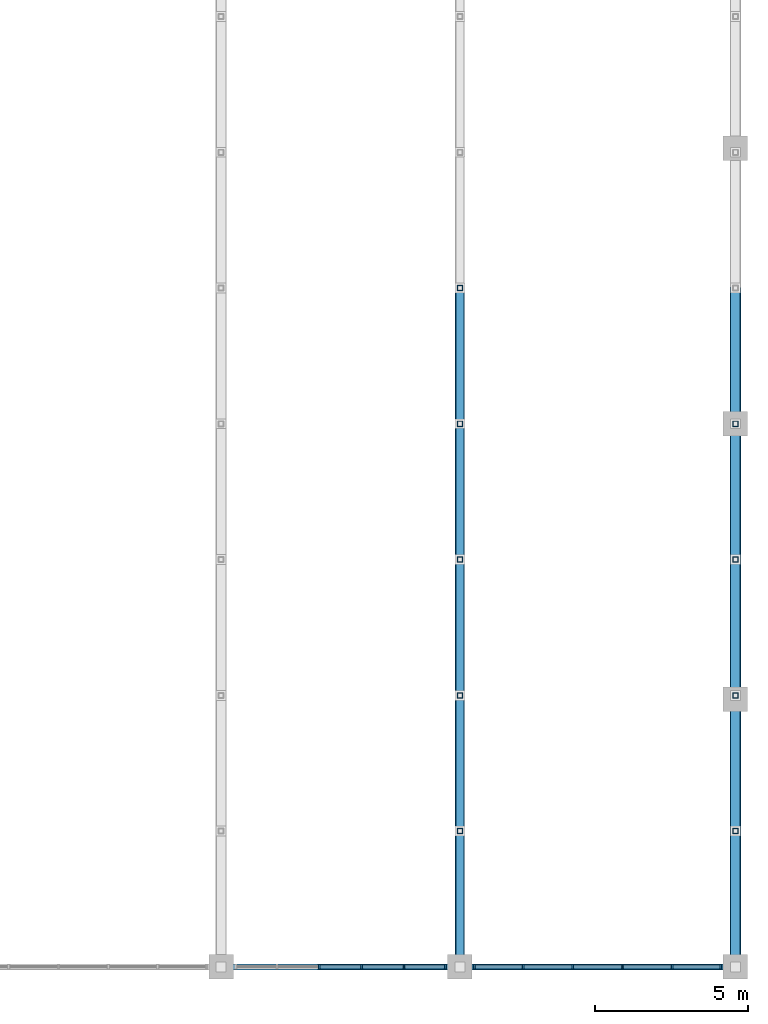
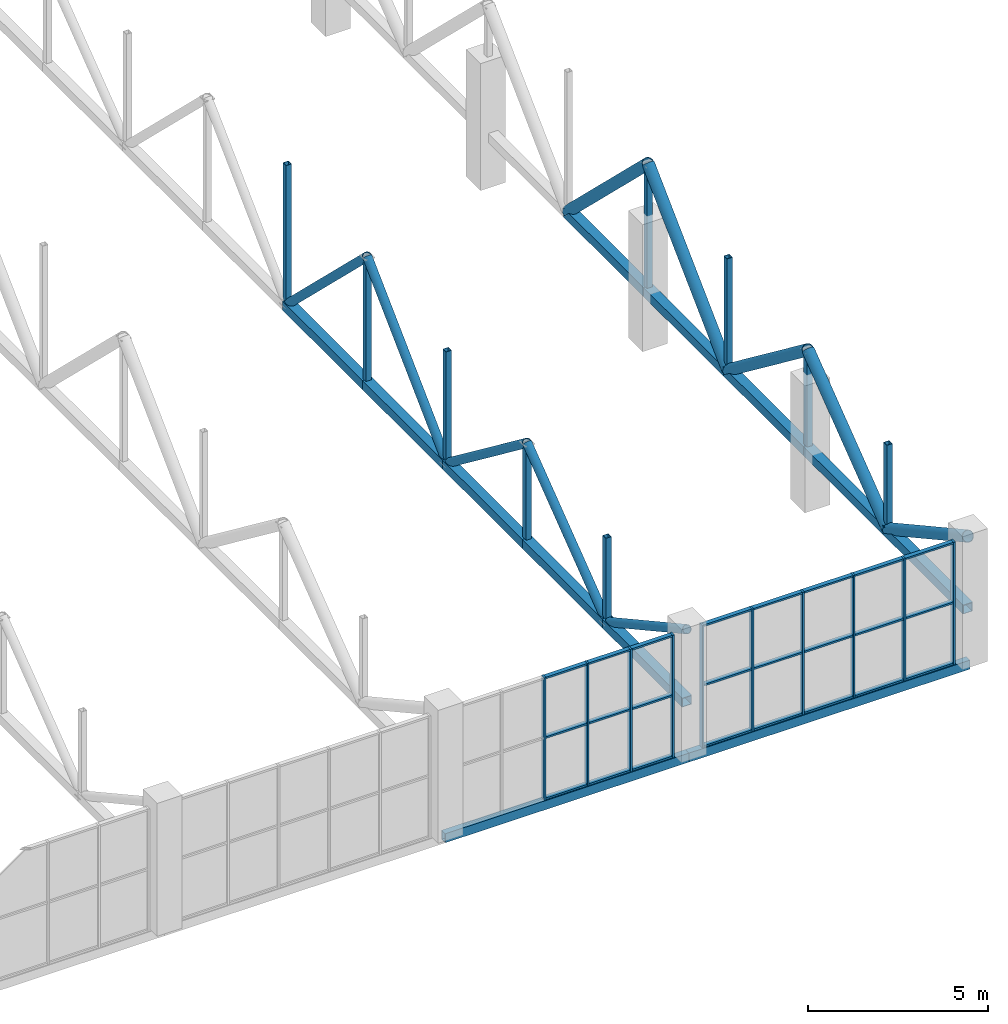
# One storey, part 62 of 103: 63 members, 2 beams, 2 elements without a shape of their own.
"""IFC4 building model written with IfcOpenShell, lengths in metres."""

import ifcopenshell
import ifcopenshell.guid

model = None  # the IFC model being written
_history = None  # IfcOwnerHistory: only IFC2X3 demands one
_inside = {}  # id of a spatial element -> (the spatial element, [elements in it])
_under = {}  # id of a project, library or spatial element -> (it, [spatial elements below it])
_declared = {}  # id of a project -> (the project, [libraries it declares])
_typed = {}  # id of a type object -> (the type object, [elements of that type])
_made_of = {}  # id of a material, layer set ... -> (it, [elements and type objects made of it])


def new_model(schema):
    """Start an empty IFC model of exactly this schema.

    Asked for "IFC4X3", IfcOpenShell would pick the latest addendum, in which some entities
    have other attributes; the version numbers below select the first issue.
    IFC2X3 requires an IfcOwnerHistory on every rooted entity: one is made here for all.
    """
    global model, _history
    if schema == "IFC4X3":
        model = ifcopenshell.file(schema_version=(4, 3, 0, 0))
    else:
        model = ifcopenshell.file(schema=schema)
    _inside.clear()
    _under.clear()
    _declared.clear()
    _typed.clear()
    _made_of.clear()
    _history = None
    if model.schema == "IFC2X3":
        org = make("IfcOrganization", Name="unknown")
        user = make(
            "IfcPersonAndOrganization",
            ThePerson=make("IfcPerson", FamilyName="unknown"),
            TheOrganization=org,
        )
        app = make(
            "IfcApplication",
            ApplicationDeveloper=org,
            Version="unknown",
            ApplicationFullName="unknown",
            ApplicationIdentifier="unknown",
        )
        _history = make(
            "IfcOwnerHistory",
            OwningUser=user,
            OwningApplication=app,
            ChangeAction="ADDED",
            CreationDate=0,
        )
    return model


def make(cls, **values):
    """One entity of the class cls with the attributes given. An attribute that is None is left unset."""
    return model.create_entity(
        cls, **{name: value for name, value in values.items() if value is not None}
    )


def rooted(cls, **values):
    """An entity with a GlobalId (a new one), such as an element, a storey or a relation."""
    return make(cls, GlobalId=ifcopenshell.guid.new(), OwnerHistory=_history, **values)


def si_unit(unit_type, name, prefix=None):
    """IfcSIUnit, for example si_unit("LENGTHUNIT", "METRE", prefix="MILLI")."""
    return make("IfcSIUnit", UnitType=unit_type, Prefix=prefix, Name=name)


def assignment(units):
    """IfcUnitAssignment: the units of a project."""
    return None if units is None else make("IfcUnitAssignment", Units=units)


def point(xyz):
    """IfcCartesianPoint."""
    return None if xyz is None else make("IfcCartesianPoint", Coordinates=xyz)


def direction(xyz):
    """IfcDirection."""
    return None if xyz is None else make("IfcDirection", DirectionRatios=xyz)


def frame(location, z_axis=None, x_axis=None):
    """IfcAxis2Placement3D, a coordinate frame: its origin and axes. An axis left out is left unset."""
    return make(
        "IfcAxis2Placement3D",
        Location=point(location),
        Axis=direction(z_axis),
        RefDirection=direction(x_axis),
    )


def frame_2d(location, x_axis=None):
    """IfcAxis2Placement2D, a coordinate frame in the plane: its origin and x axis."""
    return make(
        "IfcAxis2Placement2D", Location=point(location), RefDirection=direction(x_axis)
    )


def origin():
    """The frame at (0, 0, 0) with its axes left unset."""
    return frame((0.0, 0.0, 0.0))


def origin_2d():
    """The frame at (0, 0) in the plane with its x axis left unset."""
    return frame_2d((0.0, 0.0))


def place(relative_to, where):
    """IfcLocalPlacement: puts the frame where relative to a parent placement (None: the world)."""
    return make(
        "IfcLocalPlacement", PlacementRelTo=relative_to, RelativePlacement=where
    )


def context(
    kind, dimensions, precision=None, world=None, true_north=None, identifier=None
):
    """IfcGeometricRepresentationContext, for example the 3D "Model" context."""
    return make(
        "IfcGeometricRepresentationContext",
        ContextIdentifier=identifier,
        ContextType=kind,
        CoordinateSpaceDimension=dimensions,
        Precision=precision,
        WorldCoordinateSystem=world,
        TrueNorth=true_north,
    )


def subcontext(parent, identifier, kind, view, scale=None):
    """IfcGeometricRepresentationSubContext, for example "Body" below "Model"."""
    return make(
        "IfcGeometricRepresentationSubContext",
        ContextIdentifier=identifier,
        ContextType=kind,
        ParentContext=parent,
        TargetScale=scale,
        TargetView=view,
    )


def project(units=None, contexts=None):
    """IfcProject with its units and contexts."""
    return rooted(
        "IfcProject",
        Name="project",
        RepresentationContexts=contexts,
        UnitsInContext=assignment(units),
    )


def spatial(cls, under=None, at=None, **own):
    """A site, building, storey or space (cls), placed at a placement, below another one or the project."""
    s = rooted(cls, ObjectPlacement=at, **own)
    if under is not None:
        _under.setdefault(under.id(), (under, []))[1].append(s)
    return s


def profile(cls, at=None, kind="AREA", **sizes):
    """A parametric profile (cls). Its sizes go by their IFC names, for example OverallWidth=200.0."""
    return make(cls, ProfileType=kind, Position=at, **sizes)


def rectangle(**sizes):
    """IfcRectangleProfileDef."""
    return profile("IfcRectangleProfileDef", **sizes)


def hollow_rectangle(**sizes):
    """IfcRectangleHollowProfileDef."""
    return profile("IfcRectangleHollowProfileDef", **sizes)


def hollow_circle(**sizes):
    """IfcCircleHollowProfileDef."""
    return profile("IfcCircleHollowProfileDef", **sizes)


def extrude(swept, where, along, depth):
    """IfcExtrudedAreaSolid: the profile swept, set in the frame where, extruded along a direction by depth."""
    return make(
        "IfcExtrudedAreaSolid",
        SweptArea=swept,
        Position=where,
        ExtrudedDirection=direction(along),
        Depth=depth,
    )


def shape(context_of_items, identifier, shape_type, items):
    """IfcShapeRepresentation: the items that make up one representation, for example the "Body"."""
    return make(
        "IfcShapeRepresentation",
        ContextOfItems=context_of_items,
        RepresentationIdentifier=identifier,
        RepresentationType=shape_type,
        Items=items,
    )


def material(Name=None, Category=None):
    """IfcMaterial."""
    return make("IfcMaterial", Name=Name, Category=Category)


def layer(
    of_material, thickness, ventilated=None, Name=None, Category=None, Priority=None
):
    """IfcMaterialLayer: one layer of a wall or slab, of a material (None: an air gap)."""
    return make(
        "IfcMaterialLayer",
        Material=of_material,
        LayerThickness=thickness,
        IsVentilated=ventilated,
        Name=Name,
        Category=Category,
        Priority=Priority,
    )


def layer_set(layers, Name=None):
    """IfcMaterialLayerSet."""
    return make("IfcMaterialLayerSet", MaterialLayers=layers, LayerSetName=Name)


def material_profile(
    of_material, cross_section, Name=None, Category=None, Priority=None
):
    """IfcMaterialProfile: a cross section and its material."""
    return make(
        "IfcMaterialProfile",
        Name=Name,
        Material=of_material,
        Profile=cross_section,
        Priority=Priority,
        Category=Category,
    )


def profile_set(profiles, Name=None, composite=None):
    """IfcMaterialProfileSet."""
    return make(
        "IfcMaterialProfileSet",
        Name=Name,
        MaterialProfiles=profiles,
        CompositeProfile=composite,
    )


def made_of(thing, what):
    """Note that an element or type object is made of a material, layer set ...; save() writes the relation."""
    if what is not None:
        _made_of.setdefault(what.id(), (what, []))[1].append(thing)
    return thing


def type_object(cls, material=None, **own):
    """A type object (cls), such as IfcWallType, which elements share."""
    return made_of(rooted(cls, **own), material)


def element(
    cls,
    number,
    at=None,
    inside=None,
    cuts=None,
    type_object=None,
    material=None,
    context=None,
    identifier="Body",
    shape_type=None,
    held_by="IfcProductDefinitionShape",
    body=None,
    shapes=None,
    **own,
):
    """One element of the class cls, such as IfcWall. Its Tag is "e" and its number.

    at: its placement. inside: the storey or other place that contains it. cuts: it is an
    opening in that element (IfcRelVoidsElement). A single representation is given by context,
    identifier, shape_type and body (its items); several are given by shapes. held_by: the class
    of the entity that holds the representations. save() writes the other relations.
    """
    e = rooted(cls, Tag="e%d" % number, ObjectPlacement=at, **own)
    if body is not None:
        shapes = [shape(context, identifier, shape_type, body)]
    if shapes is not None:
        e.Representation = make(held_by, Representations=shapes)
    if inside is not None:
        _inside.setdefault(inside.id(), (inside, []))[1].append(e)
    if cuts is not None:
        rooted(
            "IfcRelVoidsElement", RelatingBuildingElement=cuts, RelatedOpeningElement=e
        )
    if type_object is not None:
        _typed.setdefault(type_object.id(), (type_object, []))[1].append(e)
    return made_of(e, material)


def aggregate(whole, parts):
    """IfcRelAggregates: a whole, such as a stair, and the parts it consists of."""
    return rooted("IfcRelAggregates", RelatingObject=whole, RelatedObjects=parts)


def save(model, path):
    """Write the relations noted so far, then the file.

    IfcRelAggregates (storeys below a building ...), IfcRelContainedInSpatialStructure (elements
    in a storey), IfcRelDefinesByType, IfcRelAssociatesMaterial and IfcRelDeclares: one each for
    every whole, place, type object, material and project.
    """
    for whole, parts in _under.values():
        aggregate(whole, parts)
    for where, things in _inside.values():
        rooted(
            "IfcRelContainedInSpatialStructure",
            RelatedElements=things,
            RelatingStructure=where,
        )
    for kind, things in _typed.values():
        rooted("IfcRelDefinesByType", RelatedObjects=things, RelatingType=kind)
    for what, things in _made_of.values():
        rooted("IfcRelAssociatesMaterial", RelatedObjects=things, RelatingMaterial=what)
    for by, libraries in _declared.values():
        rooted("IfcRelDeclares", RelatingContext=by, RelatedDefinitions=libraries)
    model.write(path)


model = new_model("IFC4")

# Units and contexts
model_context = context("Model", 3, precision=1e-05, world=origin(), true_north=direction((0.0, 1.0)))
body_context = subcontext(model_context, "Body", "Model", "MODEL_VIEW")
ifc_project = project(units=[si_unit("LENGTHUNIT", "METRE"), si_unit("AREAUNIT", "SQUARE_METRE"), si_unit("VOLUMEUNIT", "CUBIC_METRE"), si_unit("PLANEANGLEUNIT", "RADIAN"), si_unit("MASSUNIT", "GRAM", prefix="KILO")], contexts=[model_context])

# Site, building, storey
site_placement = place(None, origin())
site = spatial("IfcSite", under=ifc_project, at=site_placement, CompositionType="ELEMENT")
building_placement = place(site_placement, origin())
building = spatial("IfcBuilding", under=site, at=building_placement, Name="Cazmaro Siding Exhibition Halls", CompositionType="ELEMENT")
storey_placement = place(building_placement, frame((0.0, 0.0, 16.5)))
storey = spatial("IfcBuildingStorey", under=building, at=storey_placement, Name="L03", CompositionType="ELEMENT", Elevation=16.5)

# Curtain wall, members
ifc_material_1 = material(Name="Anodized Bronze Aluminum and Solar-Control Low-E Glazing", Category="aluminium")
ifc_layer = layer(ifc_material_1, 0.159912109375)
ifc_layer_set = layer_set([ifc_layer], Name="Anodized Bronze Aluminum and Solar-Control Low-E Glazing")
curtain_wall_type = type_object("IfcCurtainWallType", Name="CWS-04", PredefinedType="USERDEFINED", material=ifc_layer_set)
curtain_wall_1_placement = place(storey_placement, origin())
curtain_wall_1 = element("IfcCurtainWall", 1, at=curtain_wall_1_placement, inside=storey, type_object=curtain_wall_type, Name="Clerestory Curtain Wall CWS-04 CW-106", ObjectType="CLERESTORY CURTAIN WALL", PredefinedType="USERDEFINED")
ifc_material_2 = material(Name="Anodized Bronze Extruded Aluminum", Category="aluminium")
ifc_material_profile_1 = material_profile(ifc_material_2, rectangle(XDim=0.159912109375, YDim=0.06005859375, at=origin_2d()), Name="CWM-04")
ifc_profile_set_1 = profile_set([ifc_material_profile_1], Name="Anodized Bronze Extruded Aluminum")
member_type_1 = type_object("IfcMemberType", Name="CWM-04", PredefinedType="MULLION", material=ifc_profile_set_1)
member_1_placement = place(storey_placement, frame((192.208984375, 9.25, 0.0), z_axis=(0.0, 0.0, 1.0), x_axis=(0.0, 1.0, 0.0)))
member_1 = element("IfcMember", 2, at=member_1_placement, type_object=member_type_1, Name="CWS-04 mullion 3", PredefinedType="MULLION", context=body_context, shape_type="SweptSolid", body=[
    extrude(rectangle(XDim=0.159912109375, YDim=0.06005859375, at=origin_2d()), origin(), (0.0, 0.0, 1.0), 4.14990234375),
])
member_2_placement = place(storey_placement, frame((193.591064453125, 9.25, 0.0), z_axis=(0.0, 0.0, 1.0), x_axis=(0.0, 1.0, 0.0)))
member_2 = element("IfcMember", 3, at=member_2_placement, type_object=member_type_1, Name="CWS-04 mullion 4", PredefinedType="MULLION", context=body_context, shape_type="SweptSolid", body=[
    extrude(rectangle(XDim=0.159912109375, YDim=0.06005859375, at=origin_2d()), origin(), (0.0, 0.0, 1.0), 4.14990234375),
])
member_3_placement = place(storey_placement, frame((194.972900390625, 9.25, 0.0), z_axis=(0.0, 0.0, 1.0), x_axis=(0.0, 1.0, 0.0)))
member_3 = element("IfcMember", 4, at=member_3_placement, type_object=member_type_1, Name="CWS-04 mullion 5", PredefinedType="MULLION", context=body_context, shape_type="SweptSolid", body=[
    extrude(rectangle(XDim=0.159912109375, YDim=0.06005859375, at=origin_2d()), origin(), (0.0, 0.0, 1.0), 4.14990234375),
])
member_4_placement = place(storey_placement, frame((196.324951171875, 9.25, 0.0), z_axis=(0.0, 0.0, 1.0), x_axis=(0.0, 1.0, 0.0)))
member_4 = element("IfcMember", 5, at=member_4_placement, type_object=member_type_1, Name="CWS-04 mullion 6", PredefinedType="MULLION", context=body_context, shape_type="SweptSolid", body=[
    extrude(rectangle(XDim=0.159912109375, YDim=0.06005859375, at=origin_2d()), origin(), (0.0, 0.0, 1.0), 4.14990234375),
])

curtain_wall_2_placement = place(storey_placement, origin())
curtain_wall_2 = element("IfcCurtainWall", 6, at=curtain_wall_2_placement, inside=storey, type_object=curtain_wall_type, Name="Clerestory Curtain Wall CWS-04 CW-108", ObjectType="CLERESTORY CURTAIN WALL", PredefinedType="USERDEFINED")
member_5_placement = place(storey_placement, frame((197.27490234375, 9.25, 0.0), z_axis=(0.0, 0.0, 1.0), x_axis=(0.0, 1.0, 0.0)))
member_5 = element("IfcMember", 7, at=member_5_placement, type_object=member_type_1, Name="CWS-04 mullion 1", PredefinedType="MULLION", context=body_context, shape_type="SweptSolid", body=[
    extrude(rectangle(XDim=0.159912109375, YDim=0.06005859375, at=origin_2d()), origin(), (0.0, 0.0, 1.0), 4.14990234375),
])
member_6_placement = place(storey_placement, frame((198.866943359375, 9.25, 0.0), z_axis=(0.0, 0.0, 1.0), x_axis=(0.0, 1.0, 0.0)))
member_6 = element("IfcMember", 8, at=member_6_placement, type_object=member_type_1, Name="CWS-04 mullion 2", PredefinedType="MULLION", context=body_context, shape_type="SweptSolid", body=[
    extrude(rectangle(XDim=0.159912109375, YDim=0.06005859375, at=origin_2d()), origin(), (0.0, 0.0, 1.0), 4.14990234375),
])
member_7_placement = place(storey_placement, frame((200.489013671875, 9.25, 0.0), z_axis=(0.0, 0.0, 1.0), x_axis=(0.0, 1.0, 0.0)))
member_7 = element("IfcMember", 9, at=member_7_placement, type_object=member_type_1, Name="CWS-04 mullion 3", PredefinedType="MULLION", context=body_context, shape_type="SweptSolid", body=[
    extrude(rectangle(XDim=0.159912109375, YDim=0.06005859375, at=origin_2d()), origin(), (0.0, 0.0, 1.0), 4.14990234375),
])
member_8_placement = place(storey_placement, frame((202.111083984375, 9.25, 0.0), z_axis=(0.0, 0.0, 1.0), x_axis=(0.0, 1.0, 0.0)))
member_8 = element("IfcMember", 10, at=member_8_placement, type_object=member_type_1, Name="CWS-04 mullion 4", PredefinedType="MULLION", context=body_context, shape_type="SweptSolid", body=[
    extrude(rectangle(XDim=0.159912109375, YDim=0.06005859375, at=origin_2d()), origin(), (0.0, 0.0, 1.0), 4.14990234375),
])
member_9_placement = place(storey_placement, frame((203.73291015625, 9.25, 0.0), z_axis=(0.0, 0.0, 1.0), x_axis=(0.0, 1.0, 0.0)))
member_9 = element("IfcMember", 11, at=member_9_placement, type_object=member_type_1, Name="CWS-04 mullion 5", PredefinedType="MULLION", context=body_context, shape_type="SweptSolid", body=[
    extrude(rectangle(XDim=0.159912109375, YDim=0.06005859375, at=origin_2d()), origin(), (0.0, 0.0, 1.0), 4.14990234375),
])
member_10_placement = place(storey_placement, frame((205.324951171875, 9.25, 0.0), z_axis=(0.0, 0.0, 1.0), x_axis=(0.0, 1.0, 0.0)))
member_10 = element("IfcMember", 12, at=member_10_placement, type_object=member_type_1, Name="CWS-04 mullion 6", PredefinedType="MULLION", context=body_context, shape_type="SweptSolid", body=[
    extrude(rectangle(XDim=0.159912109375, YDim=0.06005859375, at=origin_2d()), origin(), (0.0, 0.0, 1.0), 4.14990234375),
])

# Member
ifc_material_3 = material(Name="Anodized Bronze Extruded Aluminum", Category="aluminium")
ifc_material_profile_2 = material_profile(ifc_material_3, rectangle(XDim=0.139892578125, YDim=0.06005859375, at=origin_2d()), Name="CWT-04")
ifc_profile_set_2 = profile_set([ifc_material_profile_2], Name="Anodized Bronze Extruded Aluminum")
member_type_2 = type_object("IfcMemberType", Name="CWT-04", PredefinedType="MULLION", material=ifc_profile_set_2)
member_11_placement = place(storey_placement, frame((192.239013671875, 9.25, 0.030029296875), z_axis=(1.0, 0.0, 0.0), x_axis=(0.0, 1.0, 0.0)))
member_11 = element("IfcMember", 13, at=member_11_placement, type_object=member_type_2, Name="CWS-04 transom 3.1", ObjectType="TRANSOM", PredefinedType="USERDEFINED", context=body_context, shape_type="SweptSolid", body=[
    extrude(rectangle(XDim=0.139892578125, YDim=0.06005859375, at=origin_2d()), origin(), (0.0, 0.0, 1.0), 1.322021484375),
])

member_12_placement = place(storey_placement, frame((192.239013671875, 9.25, 2.10009765625), z_axis=(1.0, 0.0, 0.0), x_axis=(0.0, 1.0, 0.0)))
member_12 = element("IfcMember", 14, at=member_12_placement, type_object=member_type_2, Name="CWS-04 transom 3.2", ObjectType="TRANSOM", PredefinedType="USERDEFINED", context=body_context, shape_type="SweptSolid", body=[
    extrude(rectangle(XDim=0.139892578125, YDim=0.06005859375, at=origin_2d()), origin(), (0.0, 0.0, 1.0), 1.322021484375),
])

member_13_placement = place(storey_placement, frame((192.239013671875, 9.25, 4.1201171875), z_axis=(1.0, 0.0, 0.0), x_axis=(0.0, 1.0, 0.0)))
member_13 = element("IfcMember", 15, at=member_13_placement, type_object=member_type_2, Name="CWS-04 transom 3.3", ObjectType="TRANSOM", PredefinedType="USERDEFINED", context=body_context, shape_type="SweptSolid", body=[
    extrude(rectangle(XDim=0.139892578125, YDim=0.06005859375, at=origin_2d()), origin(), (0.0, 0.0, 1.0), 1.322021484375),
])

member_14_placement = place(storey_placement, frame((193.62109375, 9.25, 0.030029296875), z_axis=(1.0, 0.0, 0.0), x_axis=(0.0, 1.0, 0.0)))
member_14 = element("IfcMember", 16, at=member_14_placement, type_object=member_type_2, Name="CWS-04 transom 4.1", ObjectType="TRANSOM", PredefinedType="USERDEFINED", context=body_context, shape_type="SweptSolid", body=[
    extrude(rectangle(XDim=0.139892578125, YDim=0.06005859375, at=origin_2d()), origin(), (0.0, 0.0, 1.0), 1.322021484375),
])

member_15_placement = place(storey_placement, frame((193.62109375, 9.25, 2.10009765625), z_axis=(1.0, 0.0, 0.0), x_axis=(0.0, 1.0, 0.0)))
member_15 = element("IfcMember", 17, at=member_15_placement, type_object=member_type_2, Name="CWS-04 transom 4.2", ObjectType="TRANSOM", PredefinedType="USERDEFINED", context=body_context, shape_type="SweptSolid", body=[
    extrude(rectangle(XDim=0.139892578125, YDim=0.06005859375, at=origin_2d()), origin(), (0.0, 0.0, 1.0), 1.322021484375),
])

member_16_placement = place(storey_placement, frame((193.62109375, 9.25, 4.1201171875), z_axis=(1.0, 0.0, 0.0), x_axis=(0.0, 1.0, 0.0)))
member_16 = element("IfcMember", 18, at=member_16_placement, type_object=member_type_2, Name="CWS-04 transom 4.3", ObjectType="TRANSOM", PredefinedType="USERDEFINED", context=body_context, shape_type="SweptSolid", body=[
    extrude(rectangle(XDim=0.139892578125, YDim=0.06005859375, at=origin_2d()), origin(), (0.0, 0.0, 1.0), 1.322021484375),
])

member_17_placement = place(storey_placement, frame((195.0029296875, 9.25, 0.030029296875), z_axis=(1.0, 0.0, 0.0), x_axis=(0.0, 1.0, 0.0)))
member_17 = element("IfcMember", 19, at=member_17_placement, type_object=member_type_2, Name="CWS-04 transom 5.1", ObjectType="TRANSOM", PredefinedType="USERDEFINED", context=body_context, shape_type="SweptSolid", body=[
    extrude(rectangle(XDim=0.139892578125, YDim=0.06005859375, at=origin_2d()), origin(), (0.0, 0.0, 1.0), 1.2919921875),
])

member_18_placement = place(storey_placement, frame((195.0029296875, 9.25, 2.10009765625), z_axis=(1.0, 0.0, 0.0), x_axis=(0.0, 1.0, 0.0)))
member_18 = element("IfcMember", 20, at=member_18_placement, type_object=member_type_2, Name="CWS-04 transom 5.2", ObjectType="TRANSOM", PredefinedType="USERDEFINED", context=body_context, shape_type="SweptSolid", body=[
    extrude(rectangle(XDim=0.139892578125, YDim=0.06005859375, at=origin_2d()), origin(), (0.0, 0.0, 1.0), 1.2919921875),
])

member_19_placement = place(storey_placement, frame((195.0029296875, 9.25, 4.1201171875), z_axis=(1.0, 0.0, 0.0), x_axis=(0.0, 1.0, 0.0)))
member_19 = element("IfcMember", 21, at=member_19_placement, type_object=member_type_2, Name="CWS-04 transom 5.3", ObjectType="TRANSOM", PredefinedType="USERDEFINED", context=body_context, shape_type="SweptSolid", body=[
    extrude(rectangle(XDim=0.139892578125, YDim=0.06005859375, at=origin_2d()), origin(), (0.0, 0.0, 1.0), 1.2919921875),
])

aggregate(curtain_wall_1, [member_1, member_2, member_3, member_4, member_11, member_12, member_13, member_14, member_15, member_16, member_17, member_18, member_19])

member_20_placement = place(storey_placement, frame((197.304931640625, 9.25, 0.030029296875), z_axis=(1.0, 0.0, 0.0), x_axis=(0.0, 1.0, 0.0)))
member_20 = element("IfcMember", 22, at=member_20_placement, type_object=member_type_2, Name="CWS-04 transom 1.1", ObjectType="TRANSOM", PredefinedType="USERDEFINED", context=body_context, shape_type="SweptSolid", body=[
    extrude(rectangle(XDim=0.139892578125, YDim=0.06005859375, at=origin_2d()), origin(), (0.0, 0.0, 1.0), 1.531982421875),
])

member_21_placement = place(storey_placement, frame((197.304931640625, 9.25, 2.10009765625), z_axis=(1.0, 0.0, 0.0), x_axis=(0.0, 1.0, 0.0)))
member_21 = element("IfcMember", 23, at=member_21_placement, type_object=member_type_2, Name="CWS-04 transom 1.2", ObjectType="TRANSOM", PredefinedType="USERDEFINED", context=body_context, shape_type="SweptSolid", body=[
    extrude(rectangle(XDim=0.139892578125, YDim=0.06005859375, at=origin_2d()), origin(), (0.0, 0.0, 1.0), 1.531982421875),
])

member_22_placement = place(storey_placement, frame((197.304931640625, 9.25, 4.1201171875), z_axis=(1.0, 0.0, 0.0), x_axis=(0.0, 1.0, 0.0)))
member_22 = element("IfcMember", 24, at=member_22_placement, type_object=member_type_2, Name="CWS-04 transom 1.3", ObjectType="TRANSOM", PredefinedType="USERDEFINED", context=body_context, shape_type="SweptSolid", body=[
    extrude(rectangle(XDim=0.139892578125, YDim=0.06005859375, at=origin_2d()), origin(), (0.0, 0.0, 1.0), 1.531982421875),
])

member_23_placement = place(storey_placement, frame((198.89697265625, 9.25, 0.030029296875), z_axis=(1.0, 0.0, 0.0), x_axis=(0.0, 1.0, 0.0)))
member_23 = element("IfcMember", 25, at=member_23_placement, type_object=member_type_2, Name="CWS-04 transom 2.1", ObjectType="TRANSOM", PredefinedType="USERDEFINED", context=body_context, shape_type="SweptSolid", body=[
    extrude(rectangle(XDim=0.139892578125, YDim=0.06005859375, at=origin_2d()), origin(), (0.0, 0.0, 1.0), 1.56201171875),
])

member_24_placement = place(storey_placement, frame((198.89697265625, 9.25, 2.10009765625), z_axis=(1.0, 0.0, 0.0), x_axis=(0.0, 1.0, 0.0)))
member_24 = element("IfcMember", 26, at=member_24_placement, type_object=member_type_2, Name="CWS-04 transom 2.2", ObjectType="TRANSOM", PredefinedType="USERDEFINED", context=body_context, shape_type="SweptSolid", body=[
    extrude(rectangle(XDim=0.139892578125, YDim=0.06005859375, at=origin_2d()), origin(), (0.0, 0.0, 1.0), 1.56201171875),
])

member_25_placement = place(storey_placement, frame((198.89697265625, 9.25, 4.1201171875), z_axis=(1.0, 0.0, 0.0), x_axis=(0.0, 1.0, 0.0)))
member_25 = element("IfcMember", 27, at=member_25_placement, type_object=member_type_2, Name="CWS-04 transom 2.3", ObjectType="TRANSOM", PredefinedType="USERDEFINED", context=body_context, shape_type="SweptSolid", body=[
    extrude(rectangle(XDim=0.139892578125, YDim=0.06005859375, at=origin_2d()), origin(), (0.0, 0.0, 1.0), 1.56201171875),
])

member_26_placement = place(storey_placement, frame((200.51904296875, 9.25, 0.030029296875), z_axis=(1.0, 0.0, 0.0), x_axis=(0.0, 1.0, 0.0)))
member_26 = element("IfcMember", 28, at=member_26_placement, type_object=member_type_2, Name="CWS-04 transom 3.1", ObjectType="TRANSOM", PredefinedType="USERDEFINED", context=body_context, shape_type="SweptSolid", body=[
    extrude(rectangle(XDim=0.139892578125, YDim=0.06005859375, at=origin_2d()), origin(), (0.0, 0.0, 1.0), 1.56201171875),
])

member_27_placement = place(storey_placement, frame((200.51904296875, 9.25, 2.10009765625), z_axis=(1.0, 0.0, 0.0), x_axis=(0.0, 1.0, 0.0)))
member_27 = element("IfcMember", 29, at=member_27_placement, type_object=member_type_2, Name="CWS-04 transom 3.2", ObjectType="TRANSOM", PredefinedType="USERDEFINED", context=body_context, shape_type="SweptSolid", body=[
    extrude(rectangle(XDim=0.139892578125, YDim=0.06005859375, at=origin_2d()), origin(), (0.0, 0.0, 1.0), 1.56201171875),
])

member_28_placement = place(storey_placement, frame((200.51904296875, 9.25, 4.1201171875), z_axis=(1.0, 0.0, 0.0), x_axis=(0.0, 1.0, 0.0)))
member_28 = element("IfcMember", 30, at=member_28_placement, type_object=member_type_2, Name="CWS-04 transom 3.3", ObjectType="TRANSOM", PredefinedType="USERDEFINED", context=body_context, shape_type="SweptSolid", body=[
    extrude(rectangle(XDim=0.139892578125, YDim=0.06005859375, at=origin_2d()), origin(), (0.0, 0.0, 1.0), 1.56201171875),
])

member_29_placement = place(storey_placement, frame((202.14111328125, 9.25, 0.030029296875), z_axis=(1.0, 0.0, 0.0), x_axis=(0.0, 1.0, 0.0)))
member_29 = element("IfcMember", 31, at=member_29_placement, type_object=member_type_2, Name="CWS-04 transom 4.1", ObjectType="TRANSOM", PredefinedType="USERDEFINED", context=body_context, shape_type="SweptSolid", body=[
    extrude(rectangle(XDim=0.139892578125, YDim=0.06005859375, at=origin_2d()), origin(), (0.0, 0.0, 1.0), 1.561767578125),
])

member_30_placement = place(storey_placement, frame((202.14111328125, 9.25, 2.10009765625), z_axis=(1.0, 0.0, 0.0), x_axis=(0.0, 1.0, 0.0)))
member_30 = element("IfcMember", 32, at=member_30_placement, type_object=member_type_2, Name="CWS-04 transom 4.2", ObjectType="TRANSOM", PredefinedType="USERDEFINED", context=body_context, shape_type="SweptSolid", body=[
    extrude(rectangle(XDim=0.139892578125, YDim=0.06005859375, at=origin_2d()), origin(), (0.0, 0.0, 1.0), 1.561767578125),
])

member_31_placement = place(storey_placement, frame((202.14111328125, 9.25, 4.1201171875), z_axis=(1.0, 0.0, 0.0), x_axis=(0.0, 1.0, 0.0)))
member_31 = element("IfcMember", 33, at=member_31_placement, type_object=member_type_2, Name="CWS-04 transom 4.3", ObjectType="TRANSOM", PredefinedType="USERDEFINED", context=body_context, shape_type="SweptSolid", body=[
    extrude(rectangle(XDim=0.139892578125, YDim=0.06005859375, at=origin_2d()), origin(), (0.0, 0.0, 1.0), 1.561767578125),
])

member_32_placement = place(storey_placement, frame((203.762939453125, 9.25, 0.030029296875), z_axis=(1.0, 0.0, 0.0), x_axis=(0.0, 1.0, 0.0)))
member_32 = element("IfcMember", 34, at=member_32_placement, type_object=member_type_2, Name="CWS-04 transom 5.1", ObjectType="TRANSOM", PredefinedType="USERDEFINED", context=body_context, shape_type="SweptSolid", body=[
    extrude(rectangle(XDim=0.139892578125, YDim=0.06005859375, at=origin_2d()), origin(), (0.0, 0.0, 1.0), 1.531982421875),
])

member_33_placement = place(storey_placement, frame((203.762939453125, 9.25, 2.10009765625), z_axis=(1.0, 0.0, 0.0), x_axis=(0.0, 1.0, 0.0)))
member_33 = element("IfcMember", 35, at=member_33_placement, type_object=member_type_2, Name="CWS-04 transom 5.2", ObjectType="TRANSOM", PredefinedType="USERDEFINED", context=body_context, shape_type="SweptSolid", body=[
    extrude(rectangle(XDim=0.139892578125, YDim=0.06005859375, at=origin_2d()), origin(), (0.0, 0.0, 1.0), 1.531982421875),
])

member_34_placement = place(storey_placement, frame((203.762939453125, 9.25, 4.1201171875), z_axis=(1.0, 0.0, 0.0), x_axis=(0.0, 1.0, 0.0)))
member_34 = element("IfcMember", 36, at=member_34_placement, type_object=member_type_2, Name="CWS-04 transom 5.3", ObjectType="TRANSOM", PredefinedType="USERDEFINED", context=body_context, shape_type="SweptSolid", body=[
    extrude(rectangle(XDim=0.139892578125, YDim=0.06005859375, at=origin_2d()), origin(), (0.0, 0.0, 1.0), 1.531982421875),
])

aggregate(curtain_wall_2, [member_5, member_6, member_7, member_8, member_9, member_10, member_20, member_21, member_22, member_23, member_24, member_25, member_26, member_27, member_28, member_29, member_30, member_31, member_32, member_33, member_34])

# Beams
ifc_material_4 = material(Name="Steel ASTM A500 Grade C", Category="steel")
ifc_material_profile_3 = material_profile(ifc_material_4, hollow_rectangle(XDim=0.202880859375, YDim=0.304931640625, WallThickness=0.011962890625, at=origin_2d()), Name="HSS12X8X1/2")
ifc_profile_set_3 = profile_set([ifc_material_profile_3], Name="Steel ASTM A500 Grade C")
beam_type = type_object("IfcBeamType", Name="SP-01", PredefinedType="SPANDREL", material=ifc_profile_set_3)
beam_1_placement = place(storey_placement, frame((189.0, 9.25, -0.152099609375), z_axis=(1.0, 0.0, 0.0), x_axis=(0.0, 1.0, 0.0)))
element("IfcBeam", 37, at=beam_1_placement, inside=storey, type_object=beam_type, Name="Beam SP-01 BM-1535", PredefinedType="SPANDREL", context=body_context, shape_type="SweptSolid", body=[
    extrude(hollow_rectangle(XDim=0.202880859375, YDim=0.304931640625, WallThickness=0.011962890625, at=origin_2d()), origin(), (0.0, 0.0, 1.0), 7.800048828125),
])
beam_2_placement = place(storey_placement, frame((196.800048828125, 9.25, -0.152099609375), z_axis=(1.0, 0.0, 0.0), x_axis=(0.0, 1.0, 0.0)))
element("IfcBeam", 38, at=beam_2_placement, inside=storey, type_object=beam_type, Name="Beam SP-01 BM-1539", PredefinedType="SPANDREL", context=body_context, shape_type="SweptSolid", body=[
    extrude(hollow_rectangle(XDim=0.202880859375, YDim=0.304931640625, WallThickness=0.011962890625, at=origin_2d()), origin(), (0.0, 0.0, 1.0), 9.0),
])

# Members
ifc_material_5 = material(Name="Steel ASTM A500 Grade C", Category="steel")
ifc_material_profile_4 = material_profile(ifc_material_5, hollow_rectangle(XDim=0.304931640625, YDim=0.304931640625, WallThickness=0.014892578125, at=origin_2d()), Name="HSS12X12X5/8")
ifc_profile_set_4 = profile_set([ifc_material_profile_4], Name="Steel ASTM A500 Grade C")
member_type_3 = type_object("IfcMemberType", Name="TC-02", PredefinedType="CHORD", material=ifc_profile_set_4)
for number, where, z_axis, x_axis, name in (
    (39, (196.800048828125, 9.25, 1.699951171875), (0.0, 1.0, 0.0), (-1.0, 0.0, 0.0), "Warren roof truss bottom chord TC-02 MEM-2849"),
    (40, (196.800048828125, 13.68505859375, 1.699951171875), (0.0, 1.0, 0.0), (-1.0, 0.0, 0.0), "Warren roof truss bottom chord TC-02 MEM-2852"),
):
    element("IfcMember", number, at=place(storey_placement, frame(where, z_axis=z_axis, x_axis=x_axis)), inside=storey, type_object=member_type_3, Name=name, PredefinedType="CHORD", context=body_context, shape_type="SweptSolid", body=[
        extrude(hollow_rectangle(XDim=0.304931640625, YDim=0.304931640625, WallThickness=0.014892578125, at=origin_2d()), origin(), (0.0, 0.0, 1.0), 4.43505859375),
    ])
member_35_placement = place(storey_placement, frame((196.800048828125, 18.1201171875, 1.699951171875), z_axis=(0.0, 1.0, 0.0), x_axis=(-1.0, 0.0, 0.0)))
element("IfcMember", 41, at=member_35_placement, inside=storey, type_object=member_type_3, Name="Warren roof truss bottom chord TC-02 MEM-2855", PredefinedType="CHORD", context=body_context, shape_type="SweptSolid", body=[
    extrude(hollow_rectangle(XDim=0.304931640625, YDim=0.304931640625, WallThickness=0.014892578125, at=origin_2d()), origin(), (0.0, 0.0, 1.0), 4.434814453125),
])
for number, where, z_axis, x_axis, name in (
    (42, (196.800048828125, 22.554931640625, 1.699951171875), (0.0, 1.0, 0.0), (-1.0, 0.0, 0.0), "Warren roof truss bottom chord TC-02 MEM-2858"),
    (43, (196.800048828125, 26.989990234375, 1.699951171875), (0.0, 1.0, 0.0), (-1.0, 0.0, 0.0), "Warren roof truss bottom chord TC-02 MEM-2861"),
    (44, (205.800048828125, 9.25, 1.699951171875), (0.0, 1.0, 0.0), (-1.0, 0.0, 0.0), "Warren roof truss bottom chord TC-02 MEM-2888"),
    (45, (205.800048828125, 13.68505859375, 1.699951171875), (0.0, 1.0, 0.0), (-1.0, 0.0, 0.0), "Warren roof truss bottom chord TC-02 MEM-2891"),
):
    element("IfcMember", number, at=place(storey_placement, frame(where, z_axis=z_axis, x_axis=x_axis)), inside=storey, type_object=member_type_3, Name=name, PredefinedType="CHORD", context=body_context, shape_type="SweptSolid", body=[
        extrude(hollow_rectangle(XDim=0.304931640625, YDim=0.304931640625, WallThickness=0.014892578125, at=origin_2d()), origin(), (0.0, 0.0, 1.0), 4.43505859375),
    ])
member_36_placement = place(storey_placement, frame((205.800048828125, 18.1201171875, 1.699951171875), z_axis=(0.0, 1.0, 0.0), x_axis=(-1.0, 0.0, 0.0)))
element("IfcMember", 46, at=member_36_placement, inside=storey, type_object=member_type_3, Name="Warren roof truss bottom chord TC-02 MEM-2894", PredefinedType="CHORD", context=body_context, shape_type="SweptSolid", body=[
    extrude(hollow_rectangle(XDim=0.304931640625, YDim=0.304931640625, WallThickness=0.014892578125, at=origin_2d()), origin(), (0.0, 0.0, 1.0), 4.434814453125),
])
for number, where, z_axis, x_axis, name in (
    (47, (205.800048828125, 22.554931640625, 1.699951171875), (0.0, 1.0, 0.0), (-1.0, 0.0, 0.0), "Warren roof truss bottom chord TC-02 MEM-2897"),
    (48, (205.800048828125, 26.989990234375, 1.699951171875), (0.0, 1.0, 0.0), (-1.0, 0.0, 0.0), "Warren roof truss bottom chord TC-02 MEM-2900"),
):
    element("IfcMember", number, at=place(storey_placement, frame(where, z_axis=z_axis, x_axis=x_axis)), inside=storey, type_object=member_type_3, Name=name, PredefinedType="CHORD", context=body_context, shape_type="SweptSolid", body=[
        extrude(hollow_rectangle(XDim=0.304931640625, YDim=0.304931640625, WallThickness=0.014892578125, at=origin_2d()), origin(), (0.0, 0.0, 1.0), 4.43505859375),
    ])
ifc_material_6 = material(Name="Steel ASTM A500 Grade C", Category="steel")
ifc_material_profile_5 = material_profile(ifc_material_6, hollow_rectangle(XDim=0.177978515625, YDim=0.177978515625, WallThickness=0.011962890625, at=origin_2d()), Name="HSS7X7X1/2")
ifc_profile_set_5 = profile_set([ifc_material_profile_5], Name="Steel ASTM A500 Grade C")
member_type_4 = type_object("IfcMemberType", Name="TP-02", PredefinedType="POST", material=ifc_profile_set_5)
member_37_placement = place(storey_placement, frame((196.800048828125, 13.68505859375, 1.699951171875), z_axis=(0.0, 0.0, 1.0), x_axis=(1.0, 0.0, 0.0)))
element("IfcMember", 49, at=member_37_placement, inside=storey, type_object=member_type_4, Name="Warren roof truss vertical TP-02 MEM-2878", PredefinedType="POST", context=body_context, shape_type="SweptSolid", body=[
    extrude(hollow_rectangle(XDim=0.177978515625, YDim=0.177978515625, WallThickness=0.011962890625, at=origin_2d()), origin(), (0.0, 0.0, 1.0), 2.906005859375),
])
member_38_placement = place(storey_placement, frame((196.800048828125, 18.1201171875, 1.699951171875), z_axis=(0.0, 0.0, 1.0), x_axis=(1.0, 0.0, 0.0)))
element("IfcMember", 50, at=member_38_placement, inside=storey, type_object=member_type_4, Name="Warren roof truss vertical TP-02 MEM-2879", PredefinedType="POST", context=body_context, shape_type="SweptSolid", body=[
    extrude(hollow_rectangle(XDim=0.177978515625, YDim=0.177978515625, WallThickness=0.011962890625, at=origin_2d()), origin(), (0.0, 0.0, 1.0), 3.373046875),
])
member_39_placement = place(storey_placement, frame((196.800048828125, 22.554931640625, 1.699951171875), z_axis=(0.0, 0.0, 1.0), x_axis=(1.0, 0.0, 0.0)))
element("IfcMember", 51, at=member_39_placement, inside=storey, type_object=member_type_4, Name="Warren roof truss vertical TP-02 MEM-2880", PredefinedType="POST", context=body_context, shape_type="SweptSolid", body=[
    extrude(hollow_rectangle(XDim=0.177978515625, YDim=0.177978515625, WallThickness=0.011962890625, at=origin_2d()), origin(), (0.0, 0.0, 1.0), 3.839111328125),
])
member_40_placement = place(storey_placement, frame((196.800048828125, 26.989990234375, 1.699951171875), z_axis=(0.0, 0.0, 1.0), x_axis=(1.0, 0.0, 0.0)))
element("IfcMember", 52, at=member_40_placement, inside=storey, type_object=member_type_4, Name="Warren roof truss vertical TP-02 MEM-2881", PredefinedType="POST", context=body_context, shape_type="SweptSolid", body=[
    extrude(hollow_rectangle(XDim=0.177978515625, YDim=0.177978515625, WallThickness=0.011962890625, at=origin_2d()), origin(), (0.0, 0.0, 1.0), 4.304931640625),
])
member_41_placement = place(storey_placement, frame((196.800048828125, 31.425048828125, 1.699951171875), z_axis=(0.0, 0.0, 1.0), x_axis=(1.0, 0.0, 0.0)))
element("IfcMember", 53, at=member_41_placement, inside=storey, type_object=member_type_4, Name="Warren roof truss vertical TP-02 MEM-2882", PredefinedType="POST", context=body_context, shape_type="SweptSolid", body=[
    extrude(hollow_rectangle(XDim=0.177978515625, YDim=0.177978515625, WallThickness=0.011962890625, at=origin_2d()), origin(), (0.0, 0.0, 1.0), 4.77099609375),
])
member_42_placement = place(storey_placement, frame((205.800048828125, 13.68505859375, 1.699951171875), z_axis=(0.0, 0.0, 1.0), x_axis=(1.0, 0.0, 0.0)))
element("IfcMember", 54, at=member_42_placement, inside=storey, type_object=member_type_4, Name="Warren roof truss vertical TP-02 MEM-2917", PredefinedType="POST", context=body_context, shape_type="SweptSolid", body=[
    extrude(hollow_rectangle(XDim=0.177978515625, YDim=0.177978515625, WallThickness=0.011962890625, at=origin_2d()), origin(), (0.0, 0.0, 1.0), 2.906005859375),
])
member_43_placement = place(storey_placement, frame((205.800048828125, 18.1201171875, 1.699951171875), z_axis=(0.0, 0.0, 1.0), x_axis=(1.0, 0.0, 0.0)))
element("IfcMember", 55, at=member_43_placement, inside=storey, type_object=member_type_4, Name="Warren roof truss vertical TP-02 MEM-2918", PredefinedType="POST", context=body_context, shape_type="SweptSolid", body=[
    extrude(hollow_rectangle(XDim=0.177978515625, YDim=0.177978515625, WallThickness=0.011962890625, at=origin_2d()), origin(), (0.0, 0.0, 1.0), 3.373046875),
])
member_44_placement = place(storey_placement, frame((205.800048828125, 22.554931640625, 1.699951171875), z_axis=(0.0, 0.0, 1.0), x_axis=(1.0, 0.0, 0.0)))
element("IfcMember", 56, at=member_44_placement, inside=storey, type_object=member_type_4, Name="Warren roof truss vertical TP-02 MEM-2919", PredefinedType="POST", context=body_context, shape_type="SweptSolid", body=[
    extrude(hollow_rectangle(XDim=0.177978515625, YDim=0.177978515625, WallThickness=0.011962890625, at=origin_2d()), origin(), (0.0, 0.0, 1.0), 3.839111328125),
])
member_45_placement = place(storey_placement, frame((205.800048828125, 26.989990234375, 1.699951171875), z_axis=(0.0, 0.0, 1.0), x_axis=(1.0, 0.0, 0.0)))
element("IfcMember", 57, at=member_45_placement, inside=storey, type_object=member_type_4, Name="Warren roof truss vertical TP-02 MEM-2920", PredefinedType="POST", context=body_context, shape_type="SweptSolid", body=[
    extrude(hollow_rectangle(XDim=0.177978515625, YDim=0.177978515625, WallThickness=0.011962890625, at=origin_2d()), origin(), (0.0, 0.0, 1.0), 4.304931640625),
])
ifc_material_7 = material(Name="Steel ASTM A500 Grade C", Category="steel")
ifc_material_profile_6 = material_profile(ifc_material_7, hollow_circle(Radius=0.136474609375, WallThickness=0.012939453125, at=origin_2d()), Name="PIPE10XS")
ifc_profile_set_6 = profile_set([ifc_material_profile_6], Name="Steel ASTM A500 Grade C")
member_type_5 = type_object("IfcMemberType", Name="WB-02", PredefinedType="BRACE", material=ifc_profile_set_6)
member_46_placement = place(storey_placement, frame((196.800048828125, 9.25, 4.139892578125), z_axis=(0.0, 0.876160914294, -0.482018726051), x_axis=(-1.0, 0.0, 0.0)))
element("IfcMember", 58, at=member_46_placement, inside=storey, type_object=member_type_5, Name="Warren roof truss diagonal WB-02 MEM-2850", PredefinedType="BRACE", context=body_context, shape_type="SweptSolid", body=[
    extrude(hollow_circle(Radius=0.136474609375, WallThickness=0.012939453125, at=origin_2d()), origin(), (0.0, 0.0, 1.0), 5.06201171875),
])
member_47_placement = place(storey_placement, frame((196.800048828125, 13.68505859375, 1.699951171875), z_axis=(0.0, 0.795954445209, 0.605356524002), x_axis=(-1.0, 0.0, 0.0)))
element("IfcMember", 59, at=member_47_placement, inside=storey, type_object=member_type_5, Name="Warren roof truss diagonal WB-02 MEM-2853", PredefinedType="BRACE", context=body_context, shape_type="SweptSolid", body=[
    extrude(hollow_circle(Radius=0.136474609375, WallThickness=0.012939453125, at=origin_2d()), origin(), (0.0, 0.0, 1.0), 5.572021484375),
])
member_48_placement = place(storey_placement, frame((196.800048828125, 18.1201171875, 5.072998046875), z_axis=(0.0, 0.795938387852, -0.605377636475), x_axis=(-1.0, 0.0, 0.0)))
element("IfcMember", 60, at=member_48_placement, inside=storey, type_object=member_type_5, Name="Warren roof truss diagonal WB-02 MEM-2856", PredefinedType="BRACE", context=body_context, shape_type="SweptSolid", body=[
    extrude(hollow_circle(Radius=0.136474609375, WallThickness=0.012939453125, at=origin_2d()), origin(), (0.0, 0.0, 1.0), 5.57177734375),
])
for number, where, z_axis, x_axis, name in (
    (61, (196.800048828125, 22.554931640625, 1.699951171875), (0.0, 0.717555143773, 0.696501698236), (-1.0, 0.0, 0.0), "Warren roof truss diagonal WB-02 MEM-2859"),
    (62, (196.800048828125, 26.989990234375, 6.0048828125), (0.0, 0.717555143773, -0.696501698236), (-1.0, 0.0, 0.0), "Warren roof truss diagonal WB-02 MEM-2862"),
):
    element("IfcMember", number, at=place(storey_placement, frame(where, z_axis=z_axis, x_axis=x_axis)), inside=storey, type_object=member_type_5, Name=name, PredefinedType="BRACE", context=body_context, shape_type="SweptSolid", body=[
        extrude(hollow_circle(Radius=0.136474609375, WallThickness=0.012939453125, at=origin_2d()), origin(), (0.0, 0.0, 1.0), 6.180908203125),
    ])
ifc_material_8 = material(Name="Steel ASTM A500 Grade C", Category="steel")
ifc_material_profile_7 = material_profile(ifc_material_8, hollow_circle(Radius=0.177978515625, WallThickness=0.012939453125, at=origin_2d()), Name="PIPE14XS")
ifc_profile_set_7 = profile_set([ifc_material_profile_7], Name="Steel ASTM A500 Grade C")
member_type_6 = type_object("IfcMemberType", Name="WB-06", PredefinedType="BRACE", material=ifc_profile_set_7)
member_49_placement = place(storey_placement, frame((205.800048828125, 9.25, 4.139892578125), z_axis=(0.0, 0.876160914294, -0.482018726051), x_axis=(-1.0, 0.0, 0.0)))
element("IfcMember", 63, at=member_49_placement, inside=storey, type_object=member_type_6, Name="Warren roof truss diagonal WB-06 MEM-2889", PredefinedType="BRACE", context=body_context, shape_type="SweptSolid", body=[
    extrude(hollow_circle(Radius=0.177978515625, WallThickness=0.012939453125, at=origin_2d()), origin(), (0.0, 0.0, 1.0), 5.06201171875),
])
member_50_placement = place(storey_placement, frame((205.800048828125, 13.68505859375, 1.699951171875), z_axis=(0.0, 0.795954445209, 0.605356524002), x_axis=(-1.0, 0.0, 0.0)))
element("IfcMember", 64, at=member_50_placement, inside=storey, type_object=member_type_6, Name="Warren roof truss diagonal WB-06 MEM-2892", PredefinedType="BRACE", context=body_context, shape_type="SweptSolid", body=[
    extrude(hollow_circle(Radius=0.177978515625, WallThickness=0.012939453125, at=origin_2d()), origin(), (0.0, 0.0, 1.0), 5.572021484375),
])
member_51_placement = place(storey_placement, frame((205.800048828125, 18.1201171875, 5.072998046875), z_axis=(0.0, 0.795938387852, -0.605377636475), x_axis=(-1.0, 0.0, 0.0)))
element("IfcMember", 65, at=member_51_placement, inside=storey, type_object=member_type_6, Name="Warren roof truss diagonal WB-06 MEM-2895", PredefinedType="BRACE", context=body_context, shape_type="SweptSolid", body=[
    extrude(hollow_circle(Radius=0.177978515625, WallThickness=0.012939453125, at=origin_2d()), origin(), (0.0, 0.0, 1.0), 5.57177734375),
])
for number, where, z_axis, x_axis, name in (
    (66, (205.800048828125, 22.554931640625, 1.699951171875), (0.0, 0.717555143773, 0.696501698236), (-1.0, 0.0, 0.0), "Warren roof truss diagonal WB-06 MEM-2898"),
    (67, (205.800048828125, 26.989990234375, 6.0048828125), (0.0, 0.717555143773, -0.696501698236), (-1.0, 0.0, 0.0), "Warren roof truss diagonal WB-06 MEM-2901"),
):
    element("IfcMember", number, at=place(storey_placement, frame(where, z_axis=z_axis, x_axis=x_axis)), inside=storey, type_object=member_type_6, Name=name, PredefinedType="BRACE", context=body_context, shape_type="SweptSolid", body=[
        extrude(hollow_circle(Radius=0.177978515625, WallThickness=0.012939453125, at=origin_2d()), origin(), (0.0, 0.0, 1.0), 6.180908203125),
    ])

save(model, "model.ifc")
